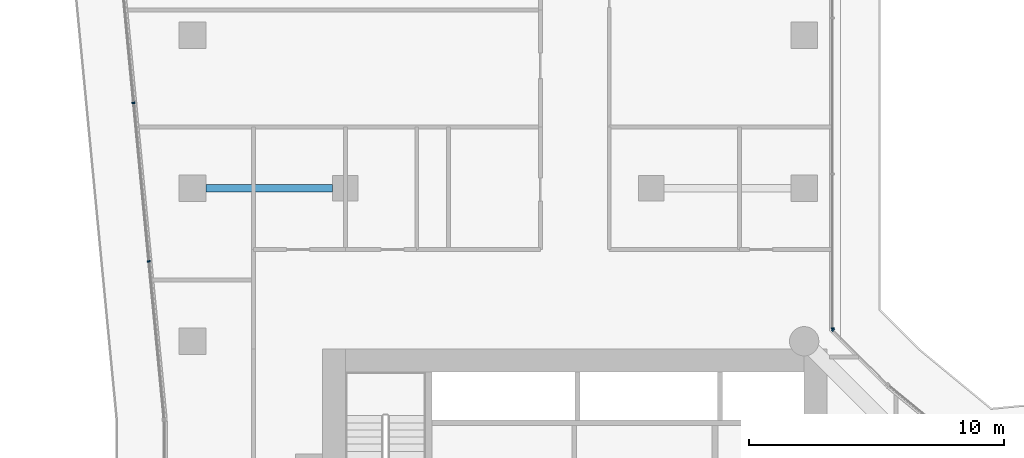
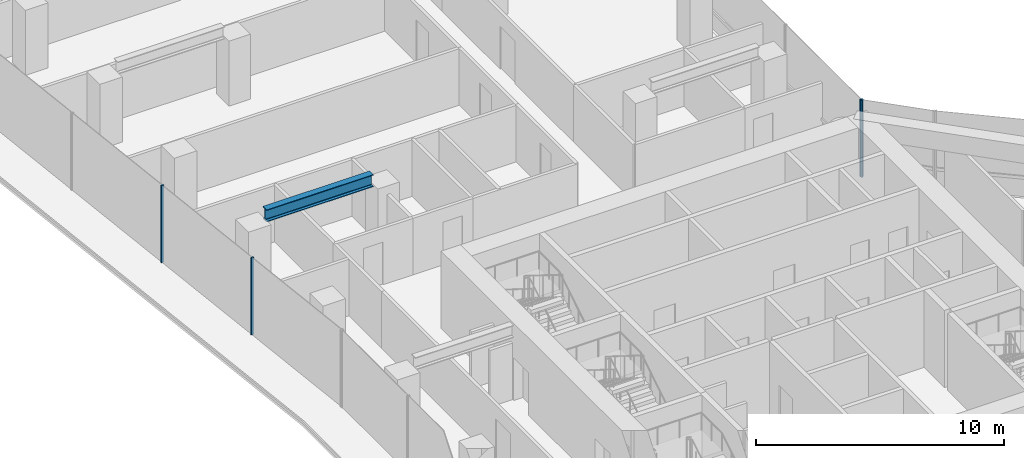
# One storey, part 11 of 30: 4 members, 1 beam, 3 elements without a shape of their own.
"""IFC4 building model written with IfcOpenShell, lengths in metres."""

from ifc_helpers import new_model, si_unit, direction, frame, origin, origin_2d, place, context, subcontext, project, spatial, rectangle, i_section, extrude, material, layer, layer_set, material_profile, profile_set, type_object, element, aggregate, save


model = new_model("IFC4")

# Units and contexts
model_context = context("Model", 3, precision=1e-05, world=origin(), true_north=direction((0.0, 1.0)))
body_context = subcontext(model_context, "Body", "Model", "MODEL_VIEW")
ifc_project = project(units=[si_unit("LENGTHUNIT", "METRE"), si_unit("AREAUNIT", "SQUARE_METRE"), si_unit("VOLUMEUNIT", "CUBIC_METRE"), si_unit("PLANEANGLEUNIT", "RADIAN"), si_unit("MASSUNIT", "GRAM", prefix="KILO")], contexts=[model_context])

# Site, building, storey
site_placement = place(None, origin())
site = spatial("IfcSite", under=ifc_project, at=site_placement, CompositionType="ELEMENT")
building_placement = place(site_placement, origin())
building = spatial("IfcBuilding", under=site, at=building_placement, Name="Welwitschia Terrace Campus", CompositionType="ELEMENT")
storey_placement = place(building_placement, frame((0.0, 0.0, 75.199951171875)))
storey = spatial("IfcBuildingStorey", under=building, at=storey_placement, Name="L17", CompositionType="ELEMENT", Elevation=75.199951171875)

# Curtain wall, member
ifc_material_1 = material(Name="Bronze anodised aluminium", Category="aluminium")
ifc_layer = layer(ifc_material_1, 0.1201171875)
ifc_layer_set = layer_set([ifc_layer], Name="Bronze anodised aluminium")
curtain_wall_type = type_object("IfcCurtainWallType", Name="Curtain wall CW2 tower 6000", PredefinedType="NOTDEFINED", material=ifc_layer_set)
curtain_wall_1_placement = place(storey_placement, origin())
curtain_wall_1 = element("IfcCurtainWall", 1, at=curtain_wall_1_placement, inside=storey, type_object=curtain_wall_type, Name="CW L17.11.0", PredefinedType="NOTDEFINED")
ifc_material_2 = material(Name="Bronze anodised aluminium", Category="aluminium")
ifc_material_profile_1 = material_profile(ifc_material_2, rectangle(XDim=0.1201171875, YDim=0.06005859375, at=origin_2d()))
ifc_profile_set_1 = profile_set([ifc_material_profile_1], Name="Bronze anodised aluminium")
member_type = type_object("IfcMemberType", Name="Mullion 60x120", PredefinedType="MULLION", material=ifc_profile_set_1)
member_1_placement = place(storey_placement, frame((25.13525390625, 26.440185546875, 0.0), z_axis=(0.0, 0.0, 1.0), x_axis=(-0.707106781187, -0.707106781187, 0.0)))
member_1 = element("IfcMember", 2, at=member_1_placement, type_object=member_type, Name="Mullion L17.11.0.1", PredefinedType="MULLION", context=body_context, shape_type="SweptSolid", body=[
    extrude(rectangle(XDim=0.1201171875, YDim=0.06005859375, at=origin_2d()), origin(), (0.0, 0.0, 1.0), 3.800048828125),
])
aggregate(curtain_wall_1, [member_1])

curtain_wall_2_placement = place(storey_placement, origin())
curtain_wall_2 = element("IfcCurtainWall", 3, at=curtain_wall_2_placement, inside=storey, type_object=curtain_wall_type, Name="CW L17.12.0", PredefinedType="NOTDEFINED")
member_2_placement = place(storey_placement, frame((25.114013671875, 26.491455078125, 0.0), z_axis=(0.0, 0.0, 1.0), x_axis=(-1.0, 0.0, 0.0)))
member_2 = element("IfcMember", 4, at=member_2_placement, type_object=member_type, Name="Mullion L17.12.0.0", PredefinedType="MULLION", context=body_context, shape_type="SweptSolid", body=[
    extrude(rectangle(XDim=0.1201171875, YDim=0.06005859375, at=origin_2d()), origin(), (0.0, 0.0, 1.0), 3.800048828125),
])
aggregate(curtain_wall_2, [member_2])

# Curtain wall, members
curtain_wall_3_placement = place(storey_placement, origin())
curtain_wall_3 = element("IfcCurtainWall", 5, at=curtain_wall_3_placement, inside=storey, type_object=curtain_wall_type, Name="CW L17.16.0", PredefinedType="NOTDEFINED")
member_3_placement = place(storey_placement, frame((-2.31103515625, 35.352783203125, 0.0), z_axis=(0.0, 0.0, 1.0), x_axis=(0.995396198367, 0.09584575252, 0.0)))
member_3 = element("IfcMember", 6, at=member_3_placement, type_object=member_type, Name="Mullion L17.16.0.4", PredefinedType="MULLION", context=body_context, shape_type="SweptSolid", body=[
    extrude(rectangle(XDim=0.1201171875, YDim=0.06005859375, at=origin_2d()), origin(), (0.0, 0.0, 1.0), 3.800048828125),
])
member_4_placement = place(storey_placement, frame((-1.71240234375, 29.13720703125, 0.0), z_axis=(0.0, 0.0, 1.0), x_axis=(0.995396198367, 0.09584575252, 0.0)))
member_4 = element("IfcMember", 7, at=member_4_placement, type_object=member_type, Name="Mullion L17.16.0.5", PredefinedType="MULLION", context=body_context, shape_type="SweptSolid", body=[
    extrude(rectangle(XDim=0.1201171875, YDim=0.06005859375, at=origin_2d()), origin(), (0.0, 0.0, 1.0), 3.800048828125),
])
aggregate(curtain_wall_3, [member_3, member_4])

# Beam
ifc_material_3 = material(Name="Steel S355", Category="steel")
ifc_material_profile_2 = material_profile(ifc_material_3, i_section(OverallWidth=0.300048828125, OverallDepth=0.60009765625, WebThickness=0.015380859375, FlangeThickness=0.030029296875, FilletRadius=0.027099609375, at=origin_2d()))
ifc_profile_set_2 = profile_set([ifc_material_profile_2], Name="Steel S355")
beam_type = type_object("IfcBeamType", Name="Primary beam HE 600 B", PredefinedType="BEAM", material=ifc_profile_set_2)
beam_placement = place(storey_placement, frame((0.525390625, 32.0, 3.400146484375), z_axis=(1.0, 0.0, 0.0), x_axis=(0.0, 1.0, 0.0)))
element("IfcBeam", 8, at=beam_placement, inside=storey, type_object=beam_type, Name="Primary beam PB2", PredefinedType="BEAM", context=body_context, shape_type="SweptSolid", body=[
    extrude(i_section(OverallWidth=0.300048828125, OverallDepth=0.60009765625, WebThickness=0.015380859375, FlangeThickness=0.030029296875, FilletRadius=0.027099609375, at=origin_2d()), origin(), (0.0, 0.0, 1.0), 4.97412109375),
])

save(model, "model.ifc")
